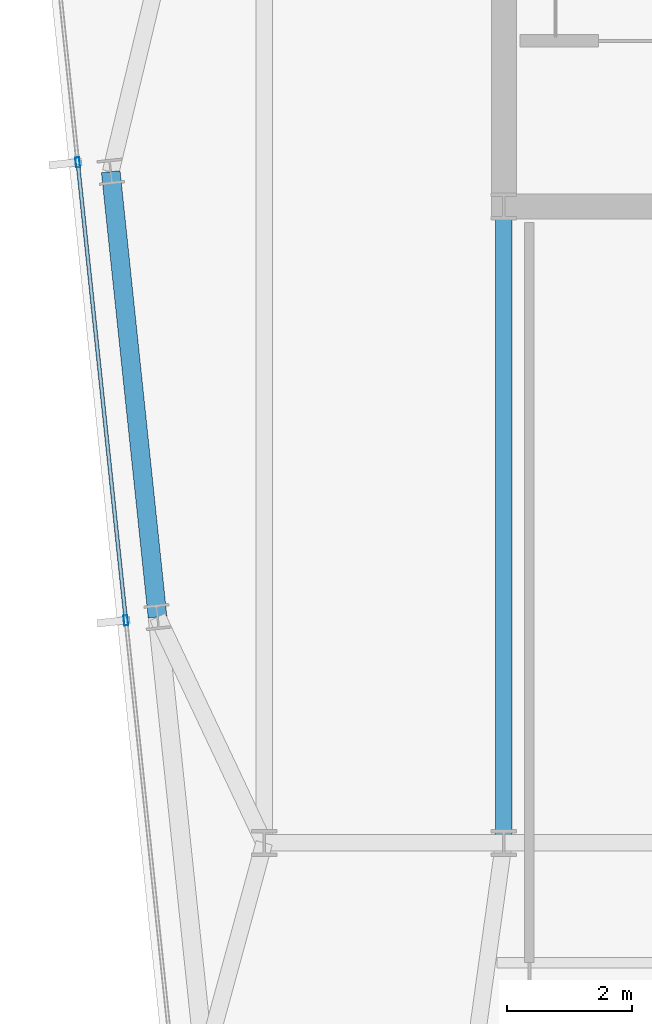
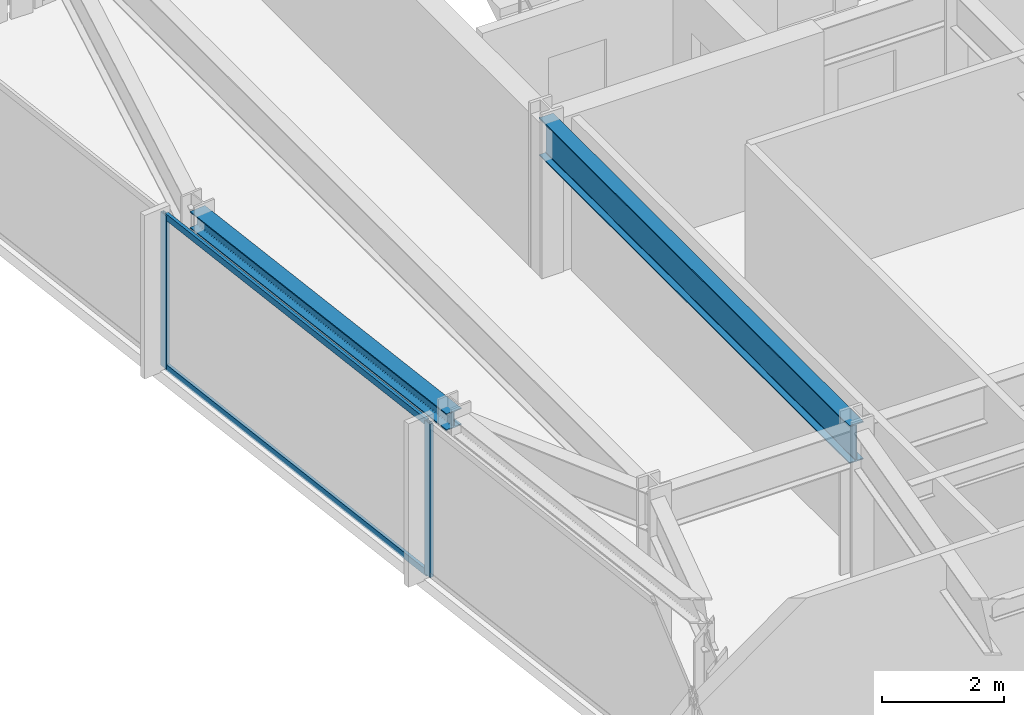
# One storey, part 10 of 33: 4 members, 2 beams, 1 element without a shape of its own.
"""IFC4 building model written with IfcOpenShell, lengths in metres."""

import ifcopenshell
import ifcopenshell.guid

model = None  # the IFC model being written
_history = None  # IfcOwnerHistory: only IFC2X3 demands one
_inside = {}  # id of a spatial element -> (the spatial element, [elements in it])
_under = {}  # id of a project, library or spatial element -> (it, [spatial elements below it])
_declared = {}  # id of a project -> (the project, [libraries it declares])
_typed = {}  # id of a type object -> (the type object, [elements of that type])
_made_of = {}  # id of a material, layer set ... -> (it, [elements and type objects made of it])


def new_model(schema):
    """Start an empty IFC model of exactly this schema.

    Asked for "IFC4X3", IfcOpenShell would pick the latest addendum, in which some entities
    have other attributes; the version numbers below select the first issue.
    IFC2X3 requires an IfcOwnerHistory on every rooted entity: one is made here for all.
    """
    global model, _history
    if schema == "IFC4X3":
        model = ifcopenshell.file(schema_version=(4, 3, 0, 0))
    else:
        model = ifcopenshell.file(schema=schema)
    _inside.clear()
    _under.clear()
    _declared.clear()
    _typed.clear()
    _made_of.clear()
    _history = None
    if model.schema == "IFC2X3":
        org = make("IfcOrganization", Name="unknown")
        user = make(
            "IfcPersonAndOrganization",
            ThePerson=make("IfcPerson", FamilyName="unknown"),
            TheOrganization=org,
        )
        app = make(
            "IfcApplication",
            ApplicationDeveloper=org,
            Version="unknown",
            ApplicationFullName="unknown",
            ApplicationIdentifier="unknown",
        )
        _history = make(
            "IfcOwnerHistory",
            OwningUser=user,
            OwningApplication=app,
            ChangeAction="ADDED",
            CreationDate=0,
        )
    return model


def make(cls, **values):
    """One entity of the class cls with the attributes given. An attribute that is None is left unset."""
    return model.create_entity(
        cls, **{name: value for name, value in values.items() if value is not None}
    )


def rooted(cls, **values):
    """An entity with a GlobalId (a new one), such as an element, a storey or a relation."""
    return make(cls, GlobalId=ifcopenshell.guid.new(), OwnerHistory=_history, **values)


def si_unit(unit_type, name, prefix=None):
    """IfcSIUnit, for example si_unit("LENGTHUNIT", "METRE", prefix="MILLI")."""
    return make("IfcSIUnit", UnitType=unit_type, Prefix=prefix, Name=name)


def assignment(units):
    """IfcUnitAssignment: the units of a project."""
    return None if units is None else make("IfcUnitAssignment", Units=units)


def point(xyz):
    """IfcCartesianPoint."""
    return None if xyz is None else make("IfcCartesianPoint", Coordinates=xyz)


def direction(xyz):
    """IfcDirection."""
    return None if xyz is None else make("IfcDirection", DirectionRatios=xyz)


def frame(location, z_axis=None, x_axis=None):
    """IfcAxis2Placement3D, a coordinate frame: its origin and axes. An axis left out is left unset."""
    return make(
        "IfcAxis2Placement3D",
        Location=point(location),
        Axis=direction(z_axis),
        RefDirection=direction(x_axis),
    )


def frame_2d(location, x_axis=None):
    """IfcAxis2Placement2D, a coordinate frame in the plane: its origin and x axis."""
    return make(
        "IfcAxis2Placement2D", Location=point(location), RefDirection=direction(x_axis)
    )


def origin():
    """The frame at (0, 0, 0) with its axes left unset."""
    return frame((0.0, 0.0, 0.0))


def origin_2d():
    """The frame at (0, 0) in the plane with its x axis left unset."""
    return frame_2d((0.0, 0.0))


def place(relative_to, where):
    """IfcLocalPlacement: puts the frame where relative to a parent placement (None: the world)."""
    return make(
        "IfcLocalPlacement", PlacementRelTo=relative_to, RelativePlacement=where
    )


def context(
    kind, dimensions, precision=None, world=None, true_north=None, identifier=None
):
    """IfcGeometricRepresentationContext, for example the 3D "Model" context."""
    return make(
        "IfcGeometricRepresentationContext",
        ContextIdentifier=identifier,
        ContextType=kind,
        CoordinateSpaceDimension=dimensions,
        Precision=precision,
        WorldCoordinateSystem=world,
        TrueNorth=true_north,
    )


def subcontext(parent, identifier, kind, view, scale=None):
    """IfcGeometricRepresentationSubContext, for example "Body" below "Model"."""
    return make(
        "IfcGeometricRepresentationSubContext",
        ContextIdentifier=identifier,
        ContextType=kind,
        ParentContext=parent,
        TargetScale=scale,
        TargetView=view,
    )


def project(units=None, contexts=None):
    """IfcProject with its units and contexts."""
    return rooted(
        "IfcProject",
        Name="project",
        RepresentationContexts=contexts,
        UnitsInContext=assignment(units),
    )


def spatial(cls, under=None, at=None, **own):
    """A site, building, storey or space (cls), placed at a placement, below another one or the project."""
    s = rooted(cls, ObjectPlacement=at, **own)
    if under is not None:
        _under.setdefault(under.id(), (under, []))[1].append(s)
    return s


def profile(cls, at=None, kind="AREA", **sizes):
    """A parametric profile (cls). Its sizes go by their IFC names, for example OverallWidth=200.0."""
    return make(cls, ProfileType=kind, Position=at, **sizes)


def hollow_rectangle(**sizes):
    """IfcRectangleHollowProfileDef."""
    return profile("IfcRectangleHollowProfileDef", **sizes)


def i_section(**sizes):
    """IfcIShapeProfileDef."""
    return profile("IfcIShapeProfileDef", **sizes)


def extrude(swept, where, along, depth):
    """IfcExtrudedAreaSolid: the profile swept, set in the frame where, extruded along a direction by depth."""
    return make(
        "IfcExtrudedAreaSolid",
        SweptArea=swept,
        Position=where,
        ExtrudedDirection=direction(along),
        Depth=depth,
    )


def shape(context_of_items, identifier, shape_type, items):
    """IfcShapeRepresentation: the items that make up one representation, for example the "Body"."""
    return make(
        "IfcShapeRepresentation",
        ContextOfItems=context_of_items,
        RepresentationIdentifier=identifier,
        RepresentationType=shape_type,
        Items=items,
    )


def material(Name=None, Category=None):
    """IfcMaterial."""
    return make("IfcMaterial", Name=Name, Category=Category)


def material_profile(
    of_material, cross_section, Name=None, Category=None, Priority=None
):
    """IfcMaterialProfile: a cross section and its material."""
    return make(
        "IfcMaterialProfile",
        Name=Name,
        Material=of_material,
        Profile=cross_section,
        Priority=Priority,
        Category=Category,
    )


def profile_set(profiles, Name=None, composite=None):
    """IfcMaterialProfileSet."""
    return make(
        "IfcMaterialProfileSet",
        Name=Name,
        MaterialProfiles=profiles,
        CompositeProfile=composite,
    )


def made_of(thing, what):
    """Note that an element or type object is made of a material, layer set ...; save() writes the relation."""
    if what is not None:
        _made_of.setdefault(what.id(), (what, []))[1].append(thing)
    return thing


def type_object(cls, material=None, **own):
    """A type object (cls), such as IfcWallType, which elements share."""
    return made_of(rooted(cls, **own), material)


def element(
    cls,
    number,
    at=None,
    inside=None,
    cuts=None,
    type_object=None,
    material=None,
    context=None,
    identifier="Body",
    shape_type=None,
    held_by="IfcProductDefinitionShape",
    body=None,
    shapes=None,
    **own,
):
    """One element of the class cls, such as IfcWall. Its Tag is "e" and its number.

    at: its placement. inside: the storey or other place that contains it. cuts: it is an
    opening in that element (IfcRelVoidsElement). A single representation is given by context,
    identifier, shape_type and body (its items); several are given by shapes. held_by: the class
    of the entity that holds the representations. save() writes the other relations.
    """
    e = rooted(cls, Tag="e%d" % number, ObjectPlacement=at, **own)
    if body is not None:
        shapes = [shape(context, identifier, shape_type, body)]
    if shapes is not None:
        e.Representation = make(held_by, Representations=shapes)
    if inside is not None:
        _inside.setdefault(inside.id(), (inside, []))[1].append(e)
    if cuts is not None:
        rooted(
            "IfcRelVoidsElement", RelatingBuildingElement=cuts, RelatedOpeningElement=e
        )
    if type_object is not None:
        _typed.setdefault(type_object.id(), (type_object, []))[1].append(e)
    return made_of(e, material)


def aggregate(whole, parts):
    """IfcRelAggregates: a whole, such as a stair, and the parts it consists of."""
    return rooted("IfcRelAggregates", RelatingObject=whole, RelatedObjects=parts)


def save(model, path):
    """Write the relations noted so far, then the file.

    IfcRelAggregates (storeys below a building ...), IfcRelContainedInSpatialStructure (elements
    in a storey), IfcRelDefinesByType, IfcRelAssociatesMaterial and IfcRelDeclares: one each for
    every whole, place, type object, material and project.
    """
    for whole, parts in _under.values():
        aggregate(whole, parts)
    for where, things in _inside.values():
        rooted(
            "IfcRelContainedInSpatialStructure",
            RelatedElements=things,
            RelatingStructure=where,
        )
    for kind, things in _typed.values():
        rooted("IfcRelDefinesByType", RelatedObjects=things, RelatingType=kind)
    for what, things in _made_of.values():
        rooted("IfcRelAssociatesMaterial", RelatedObjects=things, RelatingMaterial=what)
    for by, libraries in _declared.values():
        rooted("IfcRelDeclares", RelatingContext=by, RelatedDefinitions=libraries)
    model.write(path)


model = new_model("IFC4")

# Units and contexts
model_context = context("Model", 3, precision=1e-05, world=origin(), true_north=direction((0.0, 1.0)))
body_context = subcontext(model_context, "Body", "Model", "MODEL_VIEW")
ifc_project = project(units=[si_unit("LENGTHUNIT", "METRE"), si_unit("AREAUNIT", "SQUARE_METRE"), si_unit("VOLUMEUNIT", "CUBIC_METRE"), si_unit("PLANEANGLEUNIT", "RADIAN"), si_unit("MASSUNIT", "GRAM", prefix="KILO")], contexts=[model_context])

# Site, building, storey
site_placement = place(None, origin())
site = spatial("IfcSite", under=ifc_project, at=site_placement, CompositionType="ELEMENT")
building_placement = place(site_placement, origin())
building = spatial("IfcBuilding", under=site, at=building_placement, Name="Yelkora Congress Tower", CompositionType="ELEMENT")
storey_placement = place(building_placement, frame((0.0, 0.0, 234.199951171875)))
storey = spatial("IfcBuildingStorey", under=building, at=storey_placement, Name="L65", CompositionType="ELEMENT", Elevation=234.199951171875)

# Beams
ifc_material_1 = material(Name="Steel S355J2", Category="steel")
ifc_material_profile_1 = material_profile(ifc_material_1, i_section(OverallWidth=0.26708984375, OverallDepth=0.761962890625, WebThickness=0.014404296875, FlangeThickness=0.021484375, FilletRadius=0.01708984375, at=origin_2d()), Name="IPE 750x173")
ifc_profile_set_1 = profile_set([ifc_material_profile_1], Name="Steel S355J2")
beam_type_1 = type_object("IfcBeamType", Name="BM-GIRD-IPE750", PredefinedType="BEAM", material=ifc_profile_set_1)
beam_1_placement = place(storey_placement, frame((23.0400390625, 25.199951171875, 2.698974609375), z_axis=(0.0, 1.0, 0.0), x_axis=(-1.0, 0.0, 0.0)))
element("IfcBeam", 1, at=beam_1_placement, inside=storey, type_object=beam_type_1, Name="L65 Core Tie Girder MC-D1", PredefinedType="BEAM", context=body_context, shape_type="SweptSolid", body=[
    extrude(i_section(OverallWidth=0.26708984375, OverallDepth=0.761962890625, WebThickness=0.014404296875, FlangeThickness=0.021484375, FilletRadius=0.01708984375, at=origin_2d()), origin(), (0.0, 0.0, 1.0), 10.199951171875),
])
ifc_material_profile_2 = material_profile(ifc_material_1, i_section(OverallWidth=0.300048828125, OverallDepth=0.340087890625, WebThickness=0.011962890625, FlangeThickness=0.021484375, FilletRadius=0.027099609375, at=origin_2d()), Name="HEB 340")
ifc_profile_set_2 = profile_set([ifc_material_profile_2], Name="Steel S355J2")
beam_type_2 = type_object("IfcBeamType", Name="BM-SPAN-HEB340", PredefinedType="SPANDREL", material=ifc_profile_set_2)
beam_2_placement = place(storey_placement, frame((16.7412109375, 35.95458984375, 2.91015625), z_axis=(0.104528914631, -0.994521847928, 0.0), x_axis=(0.994521847928, 0.104528914631, 0.0)))
element("IfcBeam", 2, at=beam_2_placement, inside=storey, type_object=beam_type_2, Name="L65 Perimeter Beam 17", PredefinedType="SPANDREL", context=body_context, shape_type="SweptSolid", body=[
    extrude(i_section(OverallWidth=0.300048828125, OverallDepth=0.340087890625, WebThickness=0.011962890625, FlangeThickness=0.021484375, FilletRadius=0.027099609375, at=origin_2d()), origin(), (0.0, 0.0, 1.0), 7.175048828125),
])

# Curtain wall, members
ifc_material_2 = material(Name="Anodised aluminium and insulated glass", Category="aluminium")
curtain_wall_type = type_object("IfcCurtainWallType", Name="CW-SYS-B4", PredefinedType="NOTDEFINED", material=ifc_material_2)
curtain_wall_placement = place(storey_placement, origin())
curtain_wall = element("IfcCurtainWall", 3, at=curtain_wall_placement, inside=storey, type_object=curtain_wall_type, Name="L65 Unitised Curtain Wall 5", PredefinedType="NOTDEFINED")
ifc_material_3 = material(Name="Anodised aluminium 6063-T6", Category="aluminium")
ifc_material_profile_3 = material_profile(ifc_material_3, hollow_rectangle(XDim=0.06494140625, YDim=0.159912109375, WallThickness=0.00390625, at=origin_2d()), Name="ALU 65x160x4")
ifc_profile_set_3 = profile_set([ifc_material_profile_3], Name="Anodised aluminium 6063-T6")
member_type_1 = type_object("IfcMemberType", Name="MEM-ML-B4", PredefinedType="MULLION", material=ifc_profile_set_3)
member_1_placement = place(storey_placement, frame((16.98388671875, 28.765625, 0.0), z_axis=(0.0, 0.0, 1.0), x_axis=(-0.994522145958, -0.104526079034, 0.0)))
member_1 = element("IfcMember", 4, at=member_1_placement, type_object=member_type_1, Name="CW-B4 mullion 3", PredefinedType="MULLION", context=body_context, shape_type="SweptSolid", body=[
    extrude(hollow_rectangle(XDim=0.06494140625, YDim=0.159912109375, WallThickness=0.00390625, at=origin_2d()), origin(), (0.0, 0.0, 1.0), 3.080078125),
])
member_2_placement = place(storey_placement, frame((16.21240234375, 36.105224609375, 0.0), z_axis=(0.0, 0.0, 1.0), x_axis=(-0.994522145958, -0.104526079034, 0.0)))
member_2 = element("IfcMember", 5, at=member_2_placement, type_object=member_type_1, Name="CW-B4 mullion 4", PredefinedType="MULLION", context=body_context, shape_type="SweptSolid", body=[
    extrude(hollow_rectangle(XDim=0.06494140625, YDim=0.159912109375, WallThickness=0.00390625, at=origin_2d()), origin(), (0.0, 0.0, 1.0), 3.080078125),
])
ifc_material_profile_4 = material_profile(ifc_material_3, hollow_rectangle(XDim=0.06005859375, YDim=0.1298828125, WallThickness=0.00390625, at=origin_2d()), Name="ALU 60x130x4")
ifc_profile_set_4 = profile_set([ifc_material_profile_4], Name="Anodised aluminium 6063-T6")
member_type_2 = type_object("IfcMemberType", Name="MEM-TR-B4", PredefinedType="USERDEFINED", material=ifc_profile_set_4)
member_3_placement = place(storey_placement, frame((16.98046875, 28.7978515625, 0.030029296875), z_axis=(-0.104531896307, 0.994521534535, 0.0), x_axis=(-0.994521534535, -0.104531896307, 0.0)))
member_3 = element("IfcMember", 6, at=member_3_placement, type_object=member_type_2, Name="CW-B4 transom 3.1", ObjectType="TRANSOM", PredefinedType="USERDEFINED", context=body_context, shape_type="SweptSolid", body=[
    extrude(hollow_rectangle(XDim=0.06005859375, YDim=0.1298828125, WallThickness=0.00390625, at=origin_2d()), origin(), (0.0, 0.0, 1.0), 7.31494140625),
])
member_4_placement = place(storey_placement, frame((16.98046875, 28.7978515625, 3.050048828125), z_axis=(-0.104531896307, 0.994521534535, 0.0), x_axis=(-0.994521534535, -0.104531896307, 0.0)))
member_4 = element("IfcMember", 7, at=member_4_placement, type_object=member_type_2, Name="CW-B4 transom 3.2", ObjectType="TRANSOM", PredefinedType="USERDEFINED", context=body_context, shape_type="SweptSolid", body=[
    extrude(hollow_rectangle(XDim=0.06005859375, YDim=0.1298828125, WallThickness=0.00390625, at=origin_2d()), origin(), (0.0, 0.0, 1.0), 7.31494140625),
])
aggregate(curtain_wall, [member_1, member_2, member_3, member_4])

save(model, "model.ifc")
